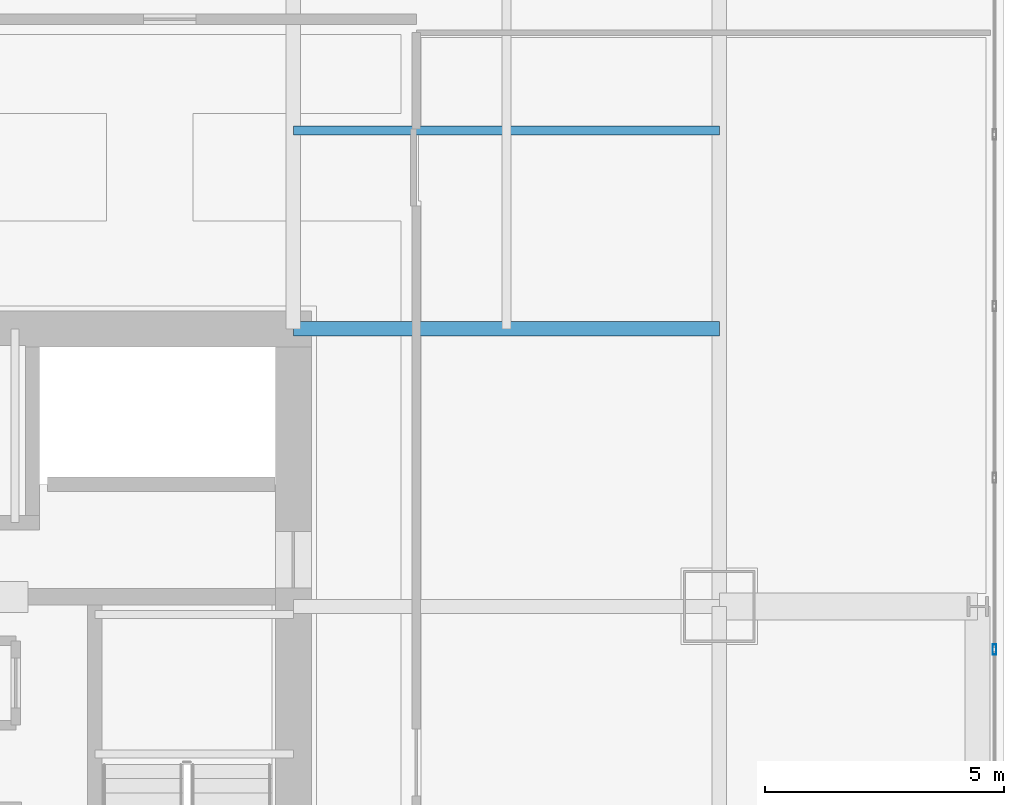
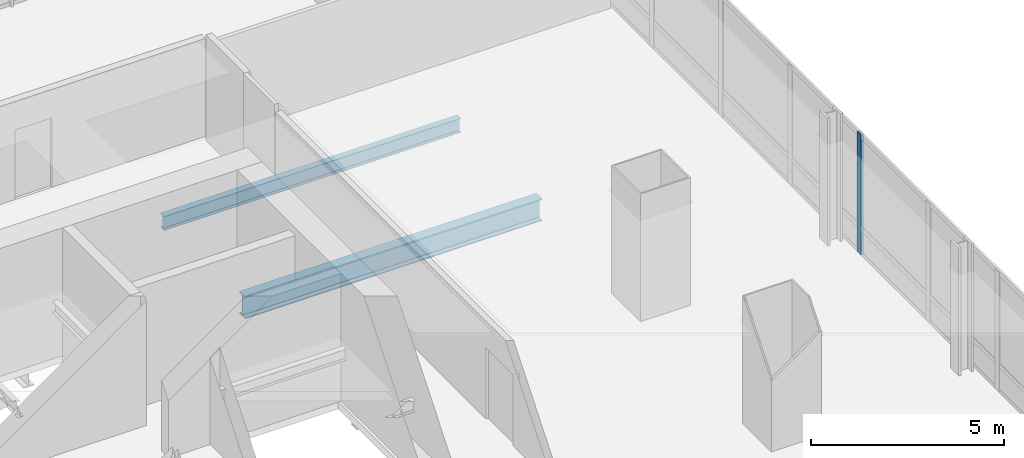
# One storey, part 18 of 34: 2 beams, 1 member, 1 element without a shape of its own.
"""IFC4 building model written with IfcOpenShell, lengths in metres."""

from ifc_helpers import new_model, si_unit, direction, frame, origin, origin_2d, place, context, subcontext, project, spatial, hollow_rectangle, i_section, extrude, material, material_profile, profile_set, type_object, element, aggregate, save


model = new_model("IFC4")

# Units and contexts
model_context = context("Model", 3, precision=1e-05, world=origin(), true_north=direction((0.0, 1.0)))
body_context = subcontext(model_context, "Body", "Model", "MODEL_VIEW")
ifc_project = project(units=[si_unit("LENGTHUNIT", "METRE"), si_unit("AREAUNIT", "SQUARE_METRE"), si_unit("VOLUMEUNIT", "CUBIC_METRE"), si_unit("PLANEANGLEUNIT", "RADIAN"), si_unit("MASSUNIT", "GRAM", prefix="KILO")], contexts=[model_context])

# Site, building, storey
site_placement = place(None, origin())
site = spatial("IfcSite", under=ifc_project, at=site_placement, CompositionType="ELEMENT")
building_placement = place(site_placement, origin())
building = spatial("IfcBuilding", under=site, at=building_placement, Name="Punatoya Terracotta Tower", CompositionType="ELEMENT")
storey_placement = place(building_placement, frame((0.0, 0.0, 117.300048828125)))
storey = spatial("IfcBuildingStorey", under=building, at=storey_placement, Name="L27", CompositionType="ELEMENT", Elevation=117.300048828125)

# Beams
ifc_material_1 = material(Name="Steel S355", Category="steel")
ifc_material_profile_1 = material_profile(ifc_material_1, i_section(OverallWidth=0.300048828125, OverallDepth=0.699951171875, WebThickness=0.01708984375, FlangeThickness=0.031982421875, FilletRadius=0.01806640625, at=origin_2d()))
ifc_profile_set_1 = profile_set([ifc_material_profile_1], Name="Steel S355")
beam_type_1 = type_object("IfcBeamType", Name="BM-PRI-700", PredefinedType="BEAM", material=ifc_profile_set_1)
beam_1_placement = place(storey_placement, frame((10.199951171875, 9.199951171875, -0.590087890625), z_axis=(1.0, 0.0, 0.0), x_axis=(0.0, 1.0, 0.0)))
element("IfcBeam", 1, at=beam_1_placement, inside=storey, type_object=beam_type_1, Name="BM-L27-PR-EN", PredefinedType="BEAM", context=body_context, shape_type="SweptSolid", body=[
    extrude(i_section(OverallWidth=0.300048828125, OverallDepth=0.699951171875, WebThickness=0.01708984375, FlangeThickness=0.031982421875, FilletRadius=0.01806640625, at=origin_2d()), origin(), (0.0, 0.0, 1.0), 8.900146484375),
])
ifc_material_profile_2 = material_profile(ifc_material_1, i_section(OverallWidth=0.18994140625, OverallDepth=0.449951171875, WebThickness=0.009521484375, FlangeThickness=0.0146484375, FilletRadius=0.01806640625, at=origin_2d()))
ifc_profile_set_2 = profile_set([ifc_material_profile_2], Name="Steel S355")
beam_type_2 = type_object("IfcBeamType", Name="BM-SEC-450", PredefinedType="JOIST", material=ifc_profile_set_2)
beam_2_placement = place(storey_placement, frame((10.199951171875, 13.35009765625, -0.465087890625), z_axis=(1.0, 0.0, 0.0), x_axis=(0.0, 1.0, 0.0)))
element("IfcBeam", 2, at=beam_2_placement, inside=storey, type_object=beam_type_2, Name="BM-L27-SJN-2", PredefinedType="JOIST", context=body_context, shape_type="SweptSolid", body=[
    extrude(i_section(OverallWidth=0.18994140625, OverallDepth=0.449951171875, WebThickness=0.009521484375, FlangeThickness=0.0146484375, FilletRadius=0.01806640625, at=origin_2d()), origin(), (0.0, 0.0, 1.0), 8.900146484375),
])

# Curtain wall, member
ifc_material_2 = material(Name="Aluminium 6063-T6 + Double Low-E Glass", Category="aluminium")
curtain_wall_type = type_object("IfcCurtainWallType", Name="CW-M1", PredefinedType="NOTDEFINED", material=ifc_material_2)
curtain_wall_placement = place(storey_placement, origin())
curtain_wall = element("IfcCurtainWall", 3, at=curtain_wall_placement, inside=storey, type_object=curtain_wall_type, Name="L27 Curtain Wall CW-L27-E05-1", PredefinedType="NOTDEFINED")
ifc_material_3 = material(Name="Aluminium 6063-T6", Category="aluminium")
ifc_material_profile_3 = material_profile(ifc_material_3, hollow_rectangle(XDim=0.074951171875, YDim=0.2099609375, WallThickness=0.00439453125, at=origin_2d()))
ifc_profile_set_3 = profile_set([ifc_material_profile_3], Name="Aluminium 6063-T6")
member_type = type_object("IfcMemberType", Name="CW-MUL-M1", PredefinedType="MULLION", material=ifc_profile_set_3)
member_placement = place(storey_placement, frame((24.85009765625, 2.500244140625, 0.0), z_axis=(0.0, 0.0, 1.0), x_axis=(1.0, 0.0, 0.0)))
member = element("IfcMember", 4, at=member_placement, type_object=member_type, Name="CW-L27-E05-1 Mullion 05", PredefinedType="MULLION", context=body_context, shape_type="SweptSolid", body=[
    extrude(hollow_rectangle(XDim=0.074951171875, YDim=0.2099609375, WallThickness=0.00439453125, at=origin_2d()), origin(), (0.0, 0.0, 1.0), 3.81005859375),
])
aggregate(curtain_wall, [member])

save(model, "model.ifc")
